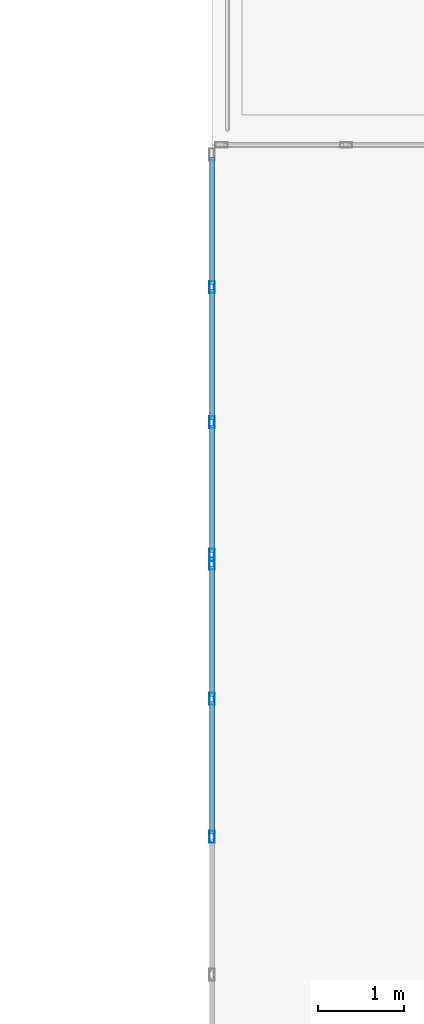
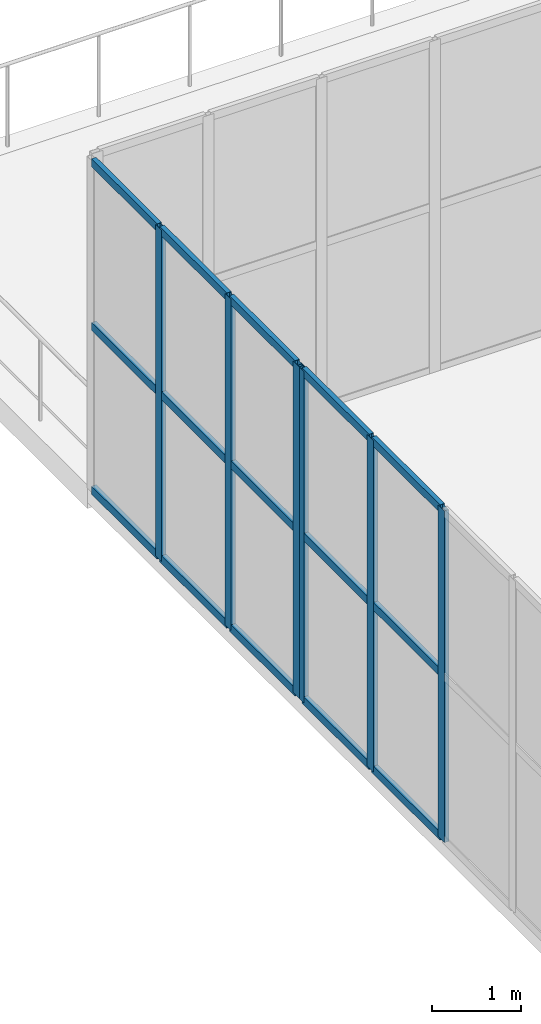
# One storey, part 69 of 158: 21 members, 2 elements without a shape of their own.
"""IFC4 building model written with IfcOpenShell, lengths in metres."""

from ifc_helpers import new_model, si_unit, direction, frame, origin, origin_2d, place, context, subcontext, project, spatial, hollow_rectangle, extrude, material, layer, layer_set, material_profile, profile_set, type_object, element, aggregate, save


model = new_model("IFC4")

# Units and contexts
model_context = context("Model", 3, precision=1e-05, world=origin(), true_north=direction((0.0, 1.0)))
body_context = subcontext(model_context, "Body", "Model", "MODEL_VIEW")
ifc_project = project(units=[si_unit("LENGTHUNIT", "METRE"), si_unit("AREAUNIT", "SQUARE_METRE"), si_unit("VOLUMEUNIT", "CUBIC_METRE"), si_unit("PLANEANGLEUNIT", "RADIAN"), si_unit("MASSUNIT", "GRAM", prefix="KILO")], contexts=[model_context])

# Site, building, storey
site_placement = place(None, origin())
site = spatial("IfcSite", under=ifc_project, at=site_placement, CompositionType="ELEMENT")
building_placement = place(site_placement, origin())
building = spatial("IfcBuilding", under=site, at=building_placement, Name="Trelvath General Hospital", CompositionType="ELEMENT")
storey_placement = place(building_placement, frame((0.0, 0.0, 8.10009765625)))
storey = spatial("IfcBuildingStorey", under=building, at=storey_placement, Name="L02", CompositionType="ELEMENT", Elevation=8.10009765625)

# Curtain wall, members
ifc_material_1 = material(Name="Anodised aluminium and low-E glass", Category="aluminium")
ifc_layer_1 = layer(ifc_material_1, 0.139892578125)
ifc_layer_set_1 = layer_set([ifc_layer_1], Name="Anodised aluminium and low-E glass")
curtain_wall_type_1 = type_object("IfcCurtainWallType", Name="CW CrystalCube 799 456 14", PredefinedType="USERDEFINED", material=ifc_layer_set_1)
curtain_wall_1_placement = place(storey_placement, origin())
curtain_wall_1 = element("IfcCurtainWall", 1, at=curtain_wall_1_placement, inside=storey, type_object=curtain_wall_type_1, Name="Crystal Cube Curtain Wall CUBE-E-T1 W6 L02", ObjectType="Unitised Glazed Curtain Wall", PredefinedType="USERDEFINED")
ifc_material_2 = material(Name="Anodised aluminium", Category="aluminium")
ifc_material_profile_1 = material_profile(ifc_material_2, hollow_rectangle(XDim=0.06005859375, YDim=0.139892578125, WallThickness=0.00390625, at=origin_2d()), Name="RHS60x140x4")
ifc_profile_set_1 = profile_set([ifc_material_profile_1], Name="Anodised aluminium")
member_type_1 = type_object("IfcMemberType", Name="CurtainMullion 60x140", PredefinedType="MULLION", material=ifc_profile_set_1)
member_1_placement = place(storey_placement, frame((92.39990234375, 72.384033203125, 0.0), z_axis=(0.0, 0.0, 1.0), x_axis=(-1.0, 0.0, 0.0)))
member_1 = element("IfcMember", 2, at=member_1_placement, type_object=member_type_1, Name="CW-217 mullion 4", PredefinedType="MULLION", context=body_context, shape_type="SweptSolid", body=[
    extrude(hollow_rectangle(XDim=0.06005859375, YDim=0.139892578125, WallThickness=0.00390625, at=origin_2d()), origin(), (0.0, 0.0, 1.0), 4.559814453125),
])
member_2_placement = place(storey_placement, frame((92.39990234375, 73.98193359375, 0.0), z_axis=(0.0, 0.0, 1.0), x_axis=(-1.0, 0.0, 0.0)))
member_2 = element("IfcMember", 3, at=member_2_placement, type_object=member_type_1, Name="CW-217 mullion 5", PredefinedType="MULLION", context=body_context, shape_type="SweptSolid", body=[
    extrude(hollow_rectangle(XDim=0.06005859375, YDim=0.139892578125, WallThickness=0.00390625, at=origin_2d()), origin(), (0.0, 0.0, 1.0), 4.559814453125),
])
member_3_placement = place(storey_placement, frame((92.39990234375, 75.550048828125, 0.0), z_axis=(0.0, 0.0, 1.0), x_axis=(-1.0, 0.0, 0.0)))
member_3 = element("IfcMember", 4, at=member_3_placement, type_object=member_type_1, Name="CW-217 mullion 6", PredefinedType="MULLION", context=body_context, shape_type="SweptSolid", body=[
    extrude(hollow_rectangle(XDim=0.06005859375, YDim=0.139892578125, WallThickness=0.00390625, at=origin_2d()), origin(), (0.0, 0.0, 1.0), 4.559814453125),
])

ifc_material_3 = material(Name="Anodised aluminium and low-E glass", Category="aluminium")
ifc_layer_2 = layer(ifc_material_3, 0.139892578125)
ifc_layer_set_2 = layer_set([ifc_layer_2], Name="Anodised aluminium and low-E glass")
curtain_wall_type_2 = type_object("IfcCurtainWallType", Name="CW CrystalCube 470 456 14", PredefinedType="USERDEFINED", material=ifc_layer_set_2)
curtain_wall_2_placement = place(storey_placement, origin())
curtain_wall_2 = element("IfcCurtainWall", 5, at=curtain_wall_2_placement, inside=storey, type_object=curtain_wall_type_2, Name="Crystal Cube Curtain Wall CUBE-E-T1 W7 L02", ObjectType="Unitised Glazed Curtain Wall", PredefinedType="USERDEFINED")
member_4_placement = place(storey_placement, frame((92.39990234375, 75.64990234375, 0.0), z_axis=(0.0, 0.0, 1.0), x_axis=(-1.0, 0.0, 0.0)))
member_4 = element("IfcMember", 6, at=member_4_placement, type_object=member_type_1, Name="CW-219 mullion 1", PredefinedType="MULLION", context=body_context, shape_type="SweptSolid", body=[
    extrude(hollow_rectangle(XDim=0.06005859375, YDim=0.139892578125, WallThickness=0.00390625, at=origin_2d()), origin(), (0.0, 0.0, 1.0), 4.559814453125),
])
member_5_placement = place(storey_placement, frame((92.39990234375, 77.186767578125, 0.0), z_axis=(0.0, 0.0, 1.0), x_axis=(-1.0, 0.0, 0.0)))
member_5 = element("IfcMember", 7, at=member_5_placement, type_object=member_type_1, Name="CW-219 mullion 2", PredefinedType="MULLION", context=body_context, shape_type="SweptSolid", body=[
    extrude(hollow_rectangle(XDim=0.06005859375, YDim=0.139892578125, WallThickness=0.00390625, at=origin_2d()), origin(), (0.0, 0.0, 1.0), 4.559814453125),
])
member_6_placement = place(storey_placement, frame((92.39990234375, 78.75341796875, 0.0), z_axis=(0.0, 0.0, 1.0), x_axis=(-1.0, 0.0, 0.0)))
member_6 = element("IfcMember", 8, at=member_6_placement, type_object=member_type_1, Name="CW-219 mullion 3", PredefinedType="MULLION", context=body_context, shape_type="SweptSolid", body=[
    extrude(hollow_rectangle(XDim=0.06005859375, YDim=0.139892578125, WallThickness=0.00390625, at=origin_2d()), origin(), (0.0, 0.0, 1.0), 4.559814453125),
])

# Member
ifc_material_4 = material(Name="Anodised aluminium", Category="aluminium")
ifc_material_profile_2 = material_profile(ifc_material_4, hollow_rectangle(XDim=0.06005859375, YDim=0.110107421875, WallThickness=0.00390625, at=origin_2d()), Name="RHS60x110x4")
ifc_profile_set_2 = profile_set([ifc_material_profile_2], Name="Anodised aluminium")
member_type_2 = type_object("IfcMemberType", Name="CurtainTransom 60x110", PredefinedType="USERDEFINED", material=ifc_profile_set_2)
member_7_placement = place(storey_placement, frame((92.39990234375, 72.4140625, 0.02978515625), z_axis=(0.0, 1.0, 0.0), x_axis=(-1.0, 0.0, 0.0)))
member_7 = element("IfcMember", 9, at=member_7_placement, type_object=member_type_2, Name="CW-217 transom 4.1", ObjectType="TRANSOM", PredefinedType="USERDEFINED", context=body_context, shape_type="SweptSolid", body=[
    extrude(hollow_rectangle(XDim=0.06005859375, YDim=0.110107421875, WallThickness=0.00390625, at=origin_2d()), origin(), (0.0, 0.0, 1.0), 1.537841796875),
])

member_8_placement = place(storey_placement, frame((92.39990234375, 72.4140625, 2.27978515625), z_axis=(0.0, 1.0, 0.0), x_axis=(-1.0, 0.0, 0.0)))
member_8 = element("IfcMember", 10, at=member_8_placement, type_object=member_type_2, Name="CW-217 transom 4.2", ObjectType="TRANSOM", PredefinedType="USERDEFINED", context=body_context, shape_type="SweptSolid", body=[
    extrude(hollow_rectangle(XDim=0.06005859375, YDim=0.110107421875, WallThickness=0.00390625, at=origin_2d()), origin(), (0.0, 0.0, 1.0), 1.537841796875),
])

member_9_placement = place(storey_placement, frame((92.39990234375, 72.4140625, 4.52978515625), z_axis=(0.0, 1.0, 0.0), x_axis=(-1.0, 0.0, 0.0)))
member_9 = element("IfcMember", 11, at=member_9_placement, type_object=member_type_2, Name="CW-217 transom 4.3", ObjectType="TRANSOM", PredefinedType="USERDEFINED", context=body_context, shape_type="SweptSolid", body=[
    extrude(hollow_rectangle(XDim=0.06005859375, YDim=0.110107421875, WallThickness=0.00390625, at=origin_2d()), origin(), (0.0, 0.0, 1.0), 1.537841796875),
])

member_10_placement = place(storey_placement, frame((92.39990234375, 74.011962890625, 0.02978515625), z_axis=(0.0, 1.0, 0.0), x_axis=(-1.0, 0.0, 0.0)))
member_10 = element("IfcMember", 12, at=member_10_placement, type_object=member_type_2, Name="CW-217 transom 5.1", ObjectType="TRANSOM", PredefinedType="USERDEFINED", context=body_context, shape_type="SweptSolid", body=[
    extrude(hollow_rectangle(XDim=0.06005859375, YDim=0.110107421875, WallThickness=0.00390625, at=origin_2d()), origin(), (0.0, 0.0, 1.0), 1.508056640625),
])

member_11_placement = place(storey_placement, frame((92.39990234375, 74.011962890625, 2.27978515625), z_axis=(0.0, 1.0, 0.0), x_axis=(-1.0, 0.0, 0.0)))
member_11 = element("IfcMember", 13, at=member_11_placement, type_object=member_type_2, Name="CW-217 transom 5.2", ObjectType="TRANSOM", PredefinedType="USERDEFINED", context=body_context, shape_type="SweptSolid", body=[
    extrude(hollow_rectangle(XDim=0.06005859375, YDim=0.110107421875, WallThickness=0.00390625, at=origin_2d()), origin(), (0.0, 0.0, 1.0), 1.508056640625),
])

member_12_placement = place(storey_placement, frame((92.39990234375, 74.011962890625, 4.52978515625), z_axis=(0.0, 1.0, 0.0), x_axis=(-1.0, 0.0, 0.0)))
member_12 = element("IfcMember", 14, at=member_12_placement, type_object=member_type_2, Name="CW-217 transom 5.3", ObjectType="TRANSOM", PredefinedType="USERDEFINED", context=body_context, shape_type="SweptSolid", body=[
    extrude(hollow_rectangle(XDim=0.06005859375, YDim=0.110107421875, WallThickness=0.00390625, at=origin_2d()), origin(), (0.0, 0.0, 1.0), 1.508056640625),
])

aggregate(curtain_wall_1, [member_1, member_2, member_3, member_7, member_8, member_9, member_10, member_11, member_12])

member_13_placement = place(storey_placement, frame((92.39990234375, 75.679931640625, 0.02978515625), z_axis=(0.0, 1.0, 0.0), x_axis=(-1.0, 0.0, 0.0)))
member_13 = element("IfcMember", 15, at=member_13_placement, type_object=member_type_2, Name="CW-219 transom 1.1", ObjectType="TRANSOM", PredefinedType="USERDEFINED", context=body_context, shape_type="SweptSolid", body=[
    extrude(hollow_rectangle(XDim=0.06005859375, YDim=0.110107421875, WallThickness=0.00390625, at=origin_2d()), origin(), (0.0, 0.0, 1.0), 1.476806640625),
])

member_14_placement = place(storey_placement, frame((92.39990234375, 75.679931640625, 2.27978515625), z_axis=(0.0, 1.0, 0.0), x_axis=(-1.0, 0.0, 0.0)))
member_14 = element("IfcMember", 16, at=member_14_placement, type_object=member_type_2, Name="CW-219 transom 1.2", ObjectType="TRANSOM", PredefinedType="USERDEFINED", context=body_context, shape_type="SweptSolid", body=[
    extrude(hollow_rectangle(XDim=0.06005859375, YDim=0.110107421875, WallThickness=0.00390625, at=origin_2d()), origin(), (0.0, 0.0, 1.0), 1.476806640625),
])

member_15_placement = place(storey_placement, frame((92.39990234375, 75.679931640625, 4.52978515625), z_axis=(0.0, 1.0, 0.0), x_axis=(-1.0, 0.0, 0.0)))
member_15 = element("IfcMember", 17, at=member_15_placement, type_object=member_type_2, Name="CW-219 transom 1.3", ObjectType="TRANSOM", PredefinedType="USERDEFINED", context=body_context, shape_type="SweptSolid", body=[
    extrude(hollow_rectangle(XDim=0.06005859375, YDim=0.110107421875, WallThickness=0.00390625, at=origin_2d()), origin(), (0.0, 0.0, 1.0), 1.476806640625),
])

member_16_placement = place(storey_placement, frame((92.39990234375, 77.216552734375, 0.02978515625), z_axis=(0.0, 1.0, 0.0), x_axis=(-1.0, 0.0, 0.0)))
member_16 = element("IfcMember", 18, at=member_16_placement, type_object=member_type_2, Name="CW-219 transom 2.1", ObjectType="TRANSOM", PredefinedType="USERDEFINED", context=body_context, shape_type="SweptSolid", body=[
    extrude(hollow_rectangle(XDim=0.06005859375, YDim=0.110107421875, WallThickness=0.00390625, at=origin_2d()), origin(), (0.0, 0.0, 1.0), 1.5068359375),
])

member_17_placement = place(storey_placement, frame((92.39990234375, 77.216552734375, 2.27978515625), z_axis=(0.0, 1.0, 0.0), x_axis=(-1.0, 0.0, 0.0)))
member_17 = element("IfcMember", 19, at=member_17_placement, type_object=member_type_2, Name="CW-219 transom 2.2", ObjectType="TRANSOM", PredefinedType="USERDEFINED", context=body_context, shape_type="SweptSolid", body=[
    extrude(hollow_rectangle(XDim=0.06005859375, YDim=0.110107421875, WallThickness=0.00390625, at=origin_2d()), origin(), (0.0, 0.0, 1.0), 1.5068359375),
])

member_18_placement = place(storey_placement, frame((92.39990234375, 77.216552734375, 4.52978515625), z_axis=(0.0, 1.0, 0.0), x_axis=(-1.0, 0.0, 0.0)))
member_18 = element("IfcMember", 20, at=member_18_placement, type_object=member_type_2, Name="CW-219 transom 2.3", ObjectType="TRANSOM", PredefinedType="USERDEFINED", context=body_context, shape_type="SweptSolid", body=[
    extrude(hollow_rectangle(XDim=0.06005859375, YDim=0.110107421875, WallThickness=0.00390625, at=origin_2d()), origin(), (0.0, 0.0, 1.0), 1.5068359375),
])

member_19_placement = place(storey_placement, frame((92.39990234375, 78.783447265625, 0.02978515625), z_axis=(0.0, 1.0, 0.0), x_axis=(-1.0, 0.0, 0.0)))
member_19 = element("IfcMember", 21, at=member_19_placement, type_object=member_type_2, Name="CW-219 transom 3.1", ObjectType="TRANSOM", PredefinedType="USERDEFINED", context=body_context, shape_type="SweptSolid", body=[
    extrude(hollow_rectangle(XDim=0.06005859375, YDim=0.110107421875, WallThickness=0.00390625, at=origin_2d()), origin(), (0.0, 0.0, 1.0), 1.4765625),
])

member_20_placement = place(storey_placement, frame((92.39990234375, 78.783447265625, 2.27978515625), z_axis=(0.0, 1.0, 0.0), x_axis=(-1.0, 0.0, 0.0)))
member_20 = element("IfcMember", 22, at=member_20_placement, type_object=member_type_2, Name="CW-219 transom 3.2", ObjectType="TRANSOM", PredefinedType="USERDEFINED", context=body_context, shape_type="SweptSolid", body=[
    extrude(hollow_rectangle(XDim=0.06005859375, YDim=0.110107421875, WallThickness=0.00390625, at=origin_2d()), origin(), (0.0, 0.0, 1.0), 1.4765625),
])

member_21_placement = place(storey_placement, frame((92.39990234375, 78.783447265625, 4.52978515625), z_axis=(0.0, 1.0, 0.0), x_axis=(-1.0, 0.0, 0.0)))
member_21 = element("IfcMember", 23, at=member_21_placement, type_object=member_type_2, Name="CW-219 transom 3.3", ObjectType="TRANSOM", PredefinedType="USERDEFINED", context=body_context, shape_type="SweptSolid", body=[
    extrude(hollow_rectangle(XDim=0.06005859375, YDim=0.110107421875, WallThickness=0.00390625, at=origin_2d()), origin(), (0.0, 0.0, 1.0), 1.4765625),
])

aggregate(curtain_wall_2, [member_4, member_5, member_6, member_13, member_14, member_15, member_16, member_17, member_18, member_19, member_20, member_21])

save(model, "model.ifc")
